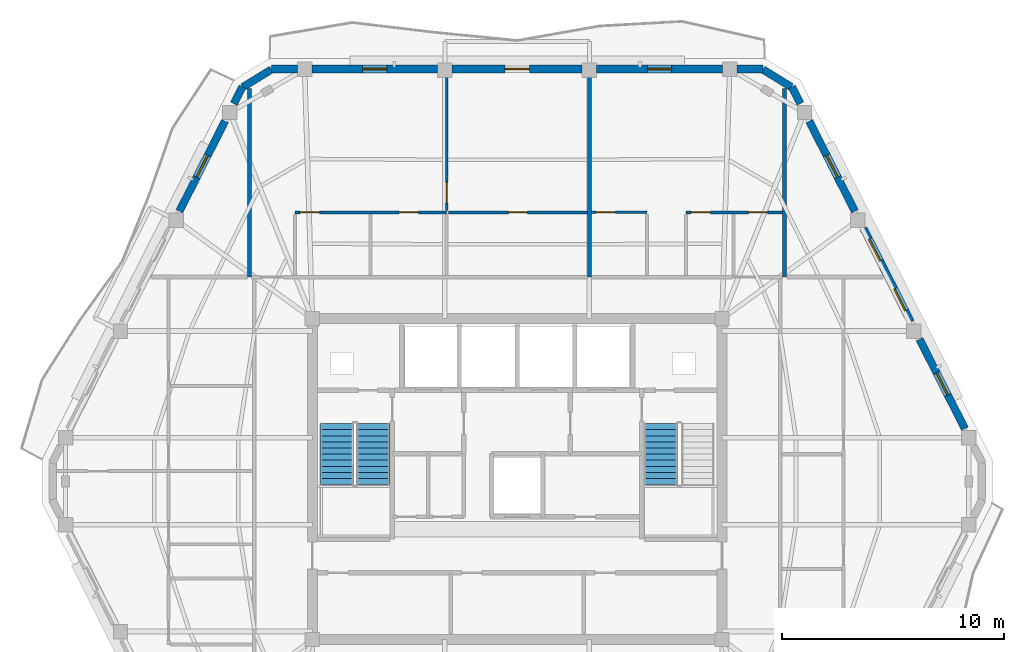
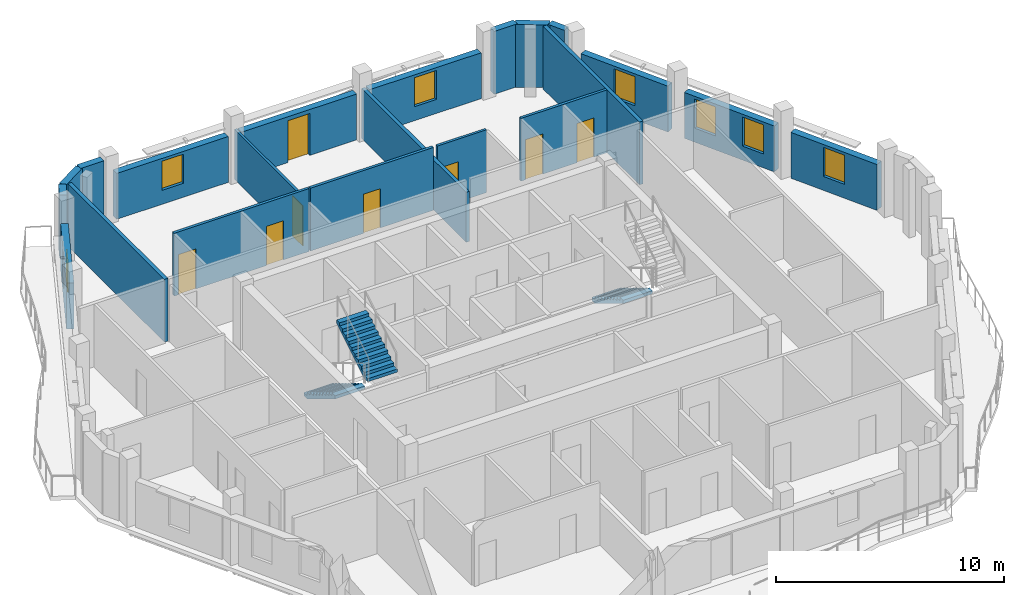
# One storey, part 7 of 11: 21 walls, 8 doors, 7 windows, 3 stair flights, 15 openings, 2 elements without a shape of their own.
"""IFC4 building model written with IfcOpenShell, lengths in metres."""

from ifc_helpers import new_model, si_unit, direction, frame, frame_2d, origin, place, context, subcontext, project, spatial, polyline, rectangle, outline, extrude, material, layer, layer_set, type_object, element, fill, aggregate, save


model = new_model("IFC4")

# Units and contexts
model_context = context("Model", 3, precision=1e-05, world=origin(), true_north=direction((0.0, 1.0)))
body_context = subcontext(model_context, "Body", "Model", "MODEL_VIEW")
ifc_project = project(units=[si_unit("LENGTHUNIT", "METRE"), si_unit("AREAUNIT", "SQUARE_METRE"), si_unit("VOLUMEUNIT", "CUBIC_METRE"), si_unit("PLANEANGLEUNIT", "RADIAN"), si_unit("MASSUNIT", "GRAM", prefix="KILO")], contexts=[model_context])

# Site, building, storey
site_placement = place(None, origin())
site = spatial("IfcSite", under=ifc_project, at=site_placement, CompositionType="ELEMENT")
building_placement = place(site_placement, origin())
building = spatial("IfcBuilding", under=site, at=building_placement, Name="Cinnabar Lancet Tower", CompositionType="ELEMENT")
storey_placement = place(building_placement, frame((0.0, 0.0, 274.449951171875)))
storey = spatial("IfcBuildingStorey", under=building, at=storey_placement, Name="L73", CompositionType="ELEMENT", Elevation=274.449951171875)

# Walls
ifc_material_1 = material(Name="Fire-rated twin-frame acoustic drywall", Category="gypsum")
ifc_layer_1 = layer(ifc_material_1, 0.179931640625)
ifc_layer_set_1 = layer_set([ifc_layer_1], Name="Fire-rated twin-frame acoustic drywall")
wall_type_1 = type_object("IfcWallType", Name="ARC-WL-PARTY-180", PredefinedType="PARTITIONING", material=ifc_layer_set_1)
wall_1_placement = place(storey_placement, frame((20.35009765625, 35.0, 0.0), z_axis=(0.0, 0.0, 1.0), x_axis=(0.0, 1.0, 0.0)))
element("IfcWall", 1, at=wall_1_placement, inside=storey, type_object=wall_type_1, Name="PW-L73-NPTY-204", PredefinedType="PARTITIONING", context=body_context, shape_type="SweptSolid", body=[
    extrude(rectangle(XDim=8.48095703125, YDim=0.179931640625, at=frame_2d((4.240478515625, 0.0))), origin(), (0.0, 0.0, 1.0), 3.3701171875),
])
wall_2_placement = place(storey_placement, frame((35.654052734375, 35.0, 0.0), z_axis=(0.0, 0.0, 1.0), x_axis=(0.0, 1.0, 0.0)))
element("IfcWall", 2, at=wall_2_placement, inside=storey, type_object=wall_type_1, Name="PW-L73-NPTY-357", PredefinedType="PARTITIONING", context=body_context, shape_type="SweptSolid", body=[
    extrude(rectangle(XDim=9.195068359375, YDim=0.179931640625, at=frame_2d((4.59765625, 0.0))), origin(), (0.0, 0.0, 1.0), 2.677001953125),
])
wall_3_placement = place(storey_placement, frame((44.449951171875, 35.0, 0.0), z_axis=(0.0, 0.0, 1.0), x_axis=(0.0, 1.0, 0.0)))
element("IfcWall", 3, at=wall_3_placement, inside=storey, type_object=wall_type_1, Name="PW-L73-NPTY-444", PredefinedType="PARTITIONING", context=body_context, shape_type="SweptSolid", body=[
    extrude(rectangle(XDim=8.48095703125, YDim=0.179931640625, at=frame_2d((4.240478515625, 0.0))), origin(), (0.0, 0.0, 1.0), 3.3701171875),
])

# Wall, opening, door
ifc_material_2 = material(Name="Gypsum plasterboard stud partition", Category="gypsum")
ifc_layer_2 = layer(ifc_material_2, 0.125)
ifc_layer_set_2 = layer_set([ifc_layer_2], Name="Gypsum plasterboard stud partition")
wall_type_2 = type_object("IfcWallType", Name="ARC-WL-UNIT-125", PredefinedType="PARTITIONING", material=ifc_layer_set_2)
wall_4_placement = place(storey_placement, frame((29.22607421875, 37.989990234375, 0.0), z_axis=(0.0, 0.0, 1.0), x_axis=(0.0, 1.0, 0.0)))
wall_4 = element("IfcWall", 4, at=wall_4_placement, inside=storey, type_object=wall_type_2, Name="UW-L73-N01-MBW", PredefinedType="PARTITIONING", context=body_context, shape_type="SweptSolid", body=[
    extrude(rectangle(XDim=6.294921875, YDim=0.125, at=frame_2d((3.1474609375, 0.0))), origin(), (0.0, 0.0, 1.0), 2.677001953125),
])
opening_1_placement = place(wall_4_placement, frame((0.35009765625, 0.0, 0.0)))
opening_1 = element("IfcOpeningElement", 5, at=opening_1_placement, cuts=wall_4, Name="Opening RD-01", PredefinedType="OPENING", context=body_context, shape_type="SweptSolid", body=[
    extrude(rectangle(XDim=0.919921875, YDim=2.14990234375, at=frame_2d((0.4599609375, 1.074951171875))), frame((0.0, 0.072509765625, 0.0), z_axis=(0.0, -1.0, 0.0), x_axis=(1.0, 0.0, 0.0)), (0.0, 0.0, 1.0), 0.14501953125),
])
ifc_material_3 = material(Name="Engineered timber bedroom door", Category="wood")
door_type_1 = type_object("IfcDoorType", Name="ARC-DR-ROOM", OperationType="NOTDEFINED", PredefinedType="DOOR", material=ifc_material_3)
door_1_placement = place(opening_1_placement, origin())
door_1 = element("IfcDoor", 6, at=door_1_placement, inside=storey, type_object=door_type_1, Name="DR-L73-N01-MBD", OperationType="SINGLE_SWING_RIGHT", OverallHeight=2.14990234375, OverallWidth=0.919921875, PredefinedType="DOOR", context=body_context, shape_type="SweptSolid", body=[
    extrude(rectangle(XDim=0.919921875, YDim=2.14990234375, at=frame_2d((0.4599609375, 1.074951171875))), frame((0.0, 0.02490234375, 0.0), z_axis=(0.0, -1.0, 0.0), x_axis=(1.0, 0.0, 0.0)), (0.0, 0.0, 1.0), 0.050048828125),
])
fill(opening_1, door_1)

wall_5_placement = place(storey_placement, frame((35.7490234375, 37.9150390625, 0.0), z_axis=(0.0, 0.0, 1.0), x_axis=(1.0, 0.0, 0.0)))
wall_5 = element("IfcWall", 7, at=wall_5_placement, inside=storey, type_object=wall_type_2, Name="UW-L73-N02-SP0", PredefinedType="PARTITIONING", context=body_context, shape_type="SweptSolid", body=[
    extrude(rectangle(XDim=2.5009765625, YDim=0.125, at=frame_2d((1.25048828125, 0.0))), origin(), (0.0, 0.0, 1.0), 3.3701171875),
])
opening_2_placement = place(wall_5_placement, frame((0.199951171875, 0.0, 0.0)))
opening_2 = element("IfcOpeningElement", 8, at=opening_2_placement, cuts=wall_5, Name="Opening RD-02", PredefinedType="OPENING", context=body_context, shape_type="SweptSolid", body=[
    extrude(rectangle(XDim=0.8798828125, YDim=2.14990234375, at=frame_2d((0.43994140625, 1.074951171875))), frame((0.0, 0.072509765625, 0.0), z_axis=(0.0, -1.0, 0.0), x_axis=(1.0, 0.0, 0.0)), (0.0, 0.0, 1.0), 0.14501953125),
])
ifc_material_4 = material(Name="Engineered timber study door", Category="wood")
door_type_2 = type_object("IfcDoorType", Name="ARC-DR-STUDY", OperationType="NOTDEFINED", PredefinedType="DOOR", material=ifc_material_4)
door_2_placement = place(opening_2_placement, origin())
door_2 = element("IfcDoor", 9, at=door_2_placement, inside=storey, type_object=door_type_2, Name="DR-L73-N02-EX0", OperationType="SINGLE_SWING_RIGHT", OverallHeight=2.14990234375, OverallWidth=0.8798828125, PredefinedType="DOOR", context=body_context, shape_type="SweptSolid", body=[
    extrude(rectangle(XDim=0.8798828125, YDim=2.14990234375, at=frame_2d((0.43994140625, 1.074951171875))), frame((0.0, 0.02490234375, 0.0), z_axis=(0.0, -1.0, 0.0), x_axis=(1.0, 0.0, 0.0)), (0.0, 0.0, 1.0), 0.050048828125),
])
fill(opening_2, door_2)

# Wall, openings, doors
ifc_material_5 = material(Name="Moisture-resistant cement-board plumbing wall", Category="masonry")
ifc_layer_3 = layer(ifc_material_5, 0.139892578125)
ifc_layer_set_3 = layer_set([ifc_layer_3], Name="Moisture-resistant cement-board plumbing wall")
wall_type_3 = type_object("IfcWallType", Name="ARC-WL-WET-140", PredefinedType="PLUMBINGWALL", material=ifc_layer_set_3)
wall_6_placement = place(storey_placement, frame((22.39990234375, 37.9150390625, 0.0), z_axis=(0.0, 0.0, 1.0), x_axis=(1.0, 0.0, 0.0)))
wall_6 = element("IfcWall", 10, at=wall_6_placement, inside=storey, type_object=wall_type_3, Name="UW-L73-N01-SPL", PredefinedType="PLUMBINGWALL", context=body_context, shape_type="SweptSolid", body=[
    extrude(rectangle(XDim=6.826171875, YDim=0.139892578125, at=frame_2d((3.4130859375, 0.0))), origin(), (0.0, 0.0, 1.0), 3.3701171875),
])
opening_3_placement = place(wall_6_placement, frame((4.68798828125, 0.0, 0.0)))
opening_3 = element("IfcOpeningElement", 11, at=opening_3_placement, cuts=wall_6, Name="Opening BD-01", PredefinedType="OPENING", context=body_context, shape_type="SweptSolid", body=[
    extrude(rectangle(XDim=0.860107421875, YDim=2.10009765625, at=frame_2d((0.43017578125, 1.050048828125))), frame((0.0, 0.079833984375, 0.0), z_axis=(0.0, -1.0, 0.0), x_axis=(1.0, 0.0, 0.0)), (0.0, 0.0, 1.0), 0.159912109375),
])
opening_4_placement = place(wall_6_placement, frame((0.219970703125, 0.0, 0.0)))
opening_4 = element("IfcOpeningElement", 12, at=opening_4_placement, cuts=wall_6, Name="Opening RD-02", PredefinedType="OPENING", context=body_context, shape_type="SweptSolid", body=[
    extrude(rectangle(XDim=0.8798828125, YDim=2.14990234375, at=frame_2d((0.43994140625, 1.074951171875))), frame((0.0, 0.079833984375, 0.0), z_axis=(0.0, -1.0, 0.0), x_axis=(1.0, 0.0, 0.0)), (0.0, 0.0, 1.0), 0.159912109375),
])
ifc_material_6 = material(Name="Moisture-resistant timber bathroom door", Category="wood")
door_type_3 = type_object("IfcDoorType", Name="ARC-DR-BATH", OperationType="NOTDEFINED", PredefinedType="DOOR", material=ifc_material_6)
door_3_placement = place(opening_3_placement, origin())
door_3 = element("IfcDoor", 13, at=door_3_placement, inside=storey, type_object=door_type_3, Name="DR-L73-N01-BTH", OperationType="SINGLE_SWING_LEFT", OverallHeight=2.10009765625, OverallWidth=0.860107421875, PredefinedType="DOOR", context=body_context, shape_type="SweptSolid", body=[
    extrude(rectangle(XDim=0.860107421875, YDim=2.10009765625, at=frame_2d((0.43017578125, 1.050048828125))), frame((0.0, 0.02490234375, 0.0), z_axis=(0.0, -1.0, 0.0), x_axis=(1.0, 0.0, 0.0)), (0.0, 0.0, 1.0), 0.050048828125),
])
fill(opening_3, door_3)
door_4_placement = place(opening_4_placement, origin())
door_4 = element("IfcDoor", 14, at=door_4_placement, inside=storey, type_object=door_type_2, Name="DR-L73-N01-KIT", OperationType="SINGLE_SWING_RIGHT", OverallHeight=2.14990234375, OverallWidth=0.8798828125, PredefinedType="DOOR", context=body_context, shape_type="SweptSolid", body=[
    extrude(rectangle(XDim=0.8798828125, YDim=2.14990234375, at=frame_2d((0.43994140625, 1.074951171875))), frame((0.0, 0.02490234375, 0.0), z_axis=(0.0, -1.0, 0.0), x_axis=(1.0, 0.0, 0.0)), (0.0, 0.0, 1.0), 0.050048828125),
])
fill(opening_4, door_4)

# Wall, opening, door
wall_7_placement = place(storey_placement, frame((29.301025390625, 37.9150390625, 0.0), z_axis=(0.0, 0.0, 1.0), x_axis=(1.0, 0.0, 0.0)))
wall_7 = element("IfcWall", 15, at=wall_7_placement, inside=storey, type_object=wall_type_3, Name="UW-L73-N01-SPM", PredefinedType="PLUMBINGWALL", context=body_context, shape_type="SweptSolid", body=[
    extrude(rectangle(XDim=6.258056640625, YDim=0.139892578125, at=frame_2d((3.12890625, 0.0))), origin(), (0.0, 0.0, 1.0), 3.3701171875),
])
opening_5_placement = place(wall_7_placement, frame((2.7041015625, 0.0, 0.0)))
opening_5 = element("IfcOpeningElement", 16, at=opening_5_placement, cuts=wall_7, Name="Opening BD-01", PredefinedType="OPENING", context=body_context, shape_type="SweptSolid", body=[
    extrude(rectangle(XDim=0.860107421875, YDim=2.10009765625, at=frame_2d((0.43017578125, 1.050048828125))), frame((0.0, 0.079833984375, 0.0), z_axis=(0.0, -1.0, 0.0), x_axis=(1.0, 0.0, 0.0)), (0.0, 0.0, 1.0), 0.159912109375),
])
door_5_placement = place(opening_5_placement, origin())
door_5 = element("IfcDoor", 17, at=door_5_placement, inside=storey, type_object=door_type_3, Name="DR-L73-N01-ENS", OperationType="SINGLE_SWING_LEFT", OverallHeight=2.10009765625, OverallWidth=0.860107421875, PredefinedType="DOOR", context=body_context, shape_type="SweptSolid", body=[
    extrude(rectangle(XDim=0.860107421875, YDim=2.10009765625, at=frame_2d((0.43017578125, 1.050048828125))), frame((0.0, 0.02490234375, 0.0), z_axis=(0.0, -1.0, 0.0), x_axis=(1.0, 0.0, 0.0)), (0.0, 0.0, 1.0), 0.050048828125),
])
fill(opening_5, door_5)

# Wall, openings, doors
wall_8_placement = place(storey_placement, frame((40.0, 37.9150390625, 0.0), z_axis=(0.0, 0.0, 1.0), x_axis=(1.0, 0.0, 0.0)))
wall_8 = element("IfcWall", 18, at=wall_8_placement, inside=storey, type_object=wall_type_3, Name="UW-L73-N02-SPL", PredefinedType="PLUMBINGWALL", context=body_context, shape_type="SweptSolid", body=[
    extrude(rectangle(XDim=4.35498046875, YDim=0.139892578125, at=frame_2d((2.177490234375, 0.0))), origin(), (0.0, 0.0, 1.0), 3.3701171875),
])
opening_6_placement = place(wall_8_placement, frame((2.821044921875, 0.0, 0.0)))
opening_6 = element("IfcOpeningElement", 19, at=opening_6_placement, cuts=wall_8, Name="Opening BD-01", PredefinedType="OPENING", context=body_context, shape_type="SweptSolid", body=[
    extrude(rectangle(XDim=0.860107421875, YDim=2.10009765625, at=frame_2d((0.43017578125, 1.050048828125))), frame((0.0, 0.079833984375, 0.0), z_axis=(0.0, -1.0, 0.0), x_axis=(1.0, 0.0, 0.0)), (0.0, 0.0, 1.0), 0.159912109375),
])
opening_7_placement = place(wall_8_placement, frame((0.219970703125, 0.0, 0.0)))
opening_7 = element("IfcOpeningElement", 20, at=opening_7_placement, cuts=wall_8, Name="Opening RD-02", PredefinedType="OPENING", context=body_context, shape_type="SweptSolid", body=[
    extrude(rectangle(XDim=0.8798828125, YDim=2.14990234375, at=frame_2d((0.43994140625, 1.074951171875))), frame((0.0, 0.079833984375, 0.0), z_axis=(0.0, -1.0, 0.0), x_axis=(1.0, 0.0, 0.0)), (0.0, 0.0, 1.0), 0.159912109375),
])
door_6_placement = place(opening_6_placement, origin())
door_6 = element("IfcDoor", 21, at=door_6_placement, inside=storey, type_object=door_type_3, Name="DR-L73-N02-BTH", OperationType="SINGLE_SWING_RIGHT", OverallHeight=2.10009765625, OverallWidth=0.860107421875, PredefinedType="DOOR", context=body_context, shape_type="SweptSolid", body=[
    extrude(rectangle(XDim=0.860107421875, YDim=2.10009765625, at=frame_2d((0.43017578125, 1.050048828125))), frame((0.0, 0.02490234375, 0.0), z_axis=(0.0, -1.0, 0.0), x_axis=(1.0, 0.0, 0.0)), (0.0, 0.0, 1.0), 0.050048828125),
])
fill(opening_6, door_6)
door_7_placement = place(opening_7_placement, origin())
door_7 = element("IfcDoor", 22, at=door_7_placement, inside=storey, type_object=door_type_2, Name="DR-L73-N02-KIT", OperationType="SINGLE_SWING_LEFT", OverallHeight=2.14990234375, OverallWidth=0.8798828125, PredefinedType="DOOR", context=body_context, shape_type="SweptSolid", body=[
    extrude(rectangle(XDim=0.8798828125, YDim=2.14990234375, at=frame_2d((0.43994140625, 1.074951171875))), frame((0.0, 0.02490234375, 0.0), z_axis=(0.0, -1.0, 0.0), x_axis=(1.0, 0.0, 0.0)), (0.0, 0.0, 1.0), 0.050048828125),
])
fill(opening_7, door_7)

# Walls
ifc_material_7 = material(Name="Cinnabar red clay brick", Category="masonry")
ifc_layer_4 = layer(ifc_material_7, 0.340087890625)
ifc_layer_set_4 = layer_set([ifc_layer_4], Name="Cinnabar red clay brick")
wall_type_4 = type_object("IfcWallType", Name="ENV-WL-BRK-RED-340", PredefinedType="STANDARD", material=ifc_layer_set_4)
for number, where, z_axis, x_axis, name in (
    (23, (44.7529296875, 43.554931640625, 0.0), (0.0, 0.0, 1.0), (-0.851680557619, 0.52406128246, 0.0), "L73 Chamfered Corner Brick Pier 4.1"),
    (24, (21.3310546875, 44.344970703125, 0.0), (0.0, 0.0, 1.0), (-0.851680557619, -0.52406128246, 0.0), "L73 Chamfered Corner Brick Pier 5.1"),
):
    element("IfcWall", number, at=place(storey_placement, frame(where, z_axis=z_axis, x_axis=x_axis)), inside=storey, type_object=wall_type_4, Name=name, PredefinedType="STANDARD", context=body_context, shape_type="SweptSolid", body=[
        extrude(rectangle(XDim=1.507568359375, YDim=0.340087890625, at=frame_2d((0.75390625, 0.0))), origin(), (0.0, 0.0, 1.0), 3.3701171875),
    ])

# Wall, opening, window
wall_9_placement = place(storey_placement, frame((52.568115234375, 28.160888671875, 0.0), z_axis=(0.0, 0.0, 1.0), x_axis=(-0.45147697324, 0.892282770558, 0.0)))
wall_9 = element("IfcWall", 25, at=wall_9_placement, inside=storey, type_object=wall_type_4, Name="L73 Face 3 Masonry Bay Wall 2", PredefinedType="STANDARD", context=body_context, shape_type="SweptSolid", body=[
    extrude(rectangle(XDim=4.530029296875, YDim=0.340087890625, at=frame_2d((2.26513671875, 0.0))), origin(), (0.0, 0.0, 1.0), 2.4599609375),
])
opening_8_placement = place(wall_9_placement, frame((1.715087890625, 0.0, 0.75)))
opening_8 = element("IfcOpeningElement", 26, at=opening_8_placement, cuts=wall_9, Name="Opening WN-04", PredefinedType="OPENING", context=body_context, shape_type="SweptSolid", body=[
    extrude(rectangle(XDim=1.10009765625, YDim=1.56005859375, at=frame_2d((0.550048828125, 0.780029296875))), frame((0.0, 0.179931640625, 0.0), z_axis=(0.0, -1.0, 0.0), x_axis=(1.0, 0.0, 0.0)), (0.0, 0.0, 1.0), 0.360107421875),
])
ifc_material_8 = material(Name="Thermally broken bronze-anodized aluminium tall lancet window", Category="aluminium")
window_type = type_object("IfcWindowType", Name="ENV-WN-LANCET-1100", PartitioningType="SINGLE_PANEL", PredefinedType="WINDOW", material=ifc_material_8)
window_1_placement = place(opening_8_placement, origin())
window_1 = element("IfcWindow", 27, at=window_1_placement, inside=storey, type_object=window_type, Name="L73 Face 3 Gothic Lancet Window 2", OverallHeight=1.56005859375, OverallWidth=1.10009765625, PartitioningType="SINGLE_PANEL", PredefinedType="WINDOW", context=body_context, shape_type="SweptSolid", body=[
    extrude(rectangle(XDim=1.10009765625, YDim=1.56005859375, at=frame_2d((0.550048828125, 0.780029296875))), frame((0.0, 0.030029296875, 0.0), z_axis=(0.0, -1.0, 0.0), x_axis=(1.0, 0.0, 0.0)), (0.0, 0.0, 1.0), 0.06005859375),
])
fill(opening_8, window_1)

# Wall, openings, windows
wall_10_placement = place(storey_placement, frame((50.134033203125, 32.972900390625, 0.0), z_axis=(0.0, 0.0, 1.0), x_axis=(-0.451447516904, 0.892297674255, 0.0)))
wall_10 = element("IfcWall", 28, at=wall_10_placement, inside=storey, type_object=wall_type_4, Name="L73 Face 3 Masonry Bay Wall 3", PredefinedType="STANDARD", context=body_context, shape_type="SweptSolid", body=[
    extrude(rectangle(XDim=4.72265625, YDim=0.340087890625, at=frame_2d((2.361328125, 0.0))), origin(), (0.0, 0.0, 1.0), 2.4599609375),
])
opening_9_placement = place(wall_10_placement, frame((0.56494140625, 0.0, 0.75)))
opening_9 = element("IfcOpeningElement", 29, at=opening_9_placement, cuts=wall_10, Name="Opening WN-04", PredefinedType="OPENING", context=body_context, shape_type="SweptSolid", body=[
    extrude(rectangle(XDim=1.10009765625, YDim=1.56005859375, at=frame_2d((0.550048828125, 0.780029296875))), frame((0.0, 0.179931640625, 0.0), z_axis=(0.0, -1.0, 0.0), x_axis=(1.0, 0.0, 0.0)), (0.0, 0.0, 1.0), 0.360107421875),
])
opening_10_placement = place(wall_10_placement, frame((3.076904296875, 0.0, 0.75)))
opening_10 = element("IfcOpeningElement", 30, at=opening_10_placement, cuts=wall_10, Name="Opening WN-04", PredefinedType="OPENING", context=body_context, shape_type="SweptSolid", body=[
    extrude(rectangle(XDim=1.10009765625, YDim=1.56005859375, at=frame_2d((0.550048828125, 0.780029296875))), frame((0.0, 0.179931640625, 0.0), z_axis=(0.0, -1.0, 0.0), x_axis=(1.0, 0.0, 0.0)), (0.0, 0.0, 1.0), 0.360107421875),
])
window_2_placement = place(opening_9_placement, origin())
window_2 = element("IfcWindow", 31, at=window_2_placement, inside=storey, type_object=window_type, Name="L73 Face 3 Gothic Lancet Window 3", OverallHeight=1.56005859375, OverallWidth=1.10009765625, PartitioningType="SINGLE_PANEL", PredefinedType="WINDOW", context=body_context, shape_type="SweptSolid", body=[
    extrude(rectangle(XDim=1.10009765625, YDim=1.56005859375, at=frame_2d((0.550048828125, 0.780029296875))), frame((0.0, 0.030029296875, 0.0), z_axis=(0.0, -1.0, 0.0), x_axis=(1.0, 0.0, 0.0)), (0.0, 0.0, 1.0), 0.06005859375),
])
fill(opening_9, window_2)
window_3_placement = place(opening_10_placement, origin())
window_3 = element("IfcWindow", 32, at=window_3_placement, inside=storey, type_object=window_type, Name="L73 Split-Bay Gothic Lancet Window 273", OverallHeight=1.56005859375, OverallWidth=1.10009765625, PartitioningType="SINGLE_PANEL", PredefinedType="WINDOW", context=body_context, shape_type="SweptSolid", body=[
    extrude(rectangle(XDim=1.10009765625, YDim=1.56005859375, at=frame_2d((0.550048828125, 0.780029296875))), frame((0.0, 0.030029296875, 0.0), z_axis=(0.0, -1.0, 0.0), x_axis=(1.0, 0.0, 0.0)), (0.0, 0.0, 1.0), 0.06005859375),
])
fill(opening_10, window_3)

# Wall, opening, window
wall_11_placement = place(storey_placement, frame((47.612060546875, 37.9599609375, 0.0), z_axis=(0.0, 0.0, 1.0), x_axis=(-0.45154039276, 0.892250678737, 0.0)))
wall_11 = element("IfcWall", 33, at=wall_11_placement, inside=storey, type_object=wall_type_4, Name="L73 Face 3 Masonry Bay Wall 4", PredefinedType="STANDARD", context=body_context, shape_type="SweptSolid", body=[
    extrude(rectangle(XDim=4.5537109375, YDim=0.340087890625, at=frame_2d((2.27685546875, 0.0))), origin(), (0.0, 0.0, 1.0), 2.4599609375),
])
opening_11_placement = place(wall_11_placement, frame((1.72705078125, 0.0, 0.75)))
opening_11 = element("IfcOpeningElement", 34, at=opening_11_placement, cuts=wall_11, Name="Opening WN-04", PredefinedType="OPENING", context=body_context, shape_type="SweptSolid", body=[
    extrude(rectangle(XDim=1.10009765625, YDim=1.56005859375, at=frame_2d((0.550048828125, 0.780029296875))), frame((0.0, 0.179931640625, 0.0), z_axis=(0.0, -1.0, 0.0), x_axis=(1.0, 0.0, 0.0)), (0.0, 0.0, 1.0), 0.360107421875),
])
window_4_placement = place(opening_11_placement, origin())
window_4 = element("IfcWindow", 35, at=window_4_placement, inside=storey, type_object=window_type, Name="L73 Face 3 Gothic Lancet Window 4", OverallHeight=1.56005859375, OverallWidth=1.10009765625, PartitioningType="SINGLE_PANEL", PredefinedType="WINDOW", context=body_context, shape_type="SweptSolid", body=[
    extrude(rectangle(XDim=1.10009765625, YDim=1.56005859375, at=frame_2d((0.550048828125, 0.780029296875))), frame((0.0, 0.030029296875, 0.0), z_axis=(0.0, -1.0, 0.0), x_axis=(1.0, 0.0, 0.0)), (0.0, 0.0, 1.0), 0.06005859375),
])
fill(opening_11, window_4)

# Walls
wall_12_placement = place(storey_placement, frame((45.157958984375, 42.81103515625, 0.0), z_axis=(0.0, 0.0, 1.0), x_axis=(-0.451907025977, 0.8920650424, 0.0)))
element("IfcWall", 36, at=wall_12_placement, inside=storey, type_object=wall_type_4, Name="L73 Face 3 Masonry Bay Wall 5", PredefinedType="STANDARD", context=body_context, shape_type="SweptSolid", body=[
    extrude(rectangle(XDim=0.85205078125, YDim=0.340087890625, at=frame_2d((0.426025390625, 0.0))), origin(), (0.0, 0.0, 1.0), 3.3701171875),
])
wall_13_placement = place(storey_placement, frame((43.47412109375, 44.3701171875, 0.0), z_axis=(0.0, 0.0, 1.0), x_axis=(-1.0, 0.0, 0.0)))
element("IfcWall", 37, at=wall_13_placement, inside=storey, type_object=wall_type_4, Name="L73 Face 4 Masonry Bay Wall 1", PredefinedType="STANDARD", context=body_context, shape_type="SweptSolid", body=[
    extrude(rectangle(XDim=1.173095703125, YDim=0.340087890625, at=frame_2d((0.58642578125, 0.0))), origin(), (0.0, 0.0, 1.0), 3.3701171875),
])

# Wall, opening, window
wall_14_placement = place(storey_placement, frame((41.64306640625, 44.3701171875, 0.0), z_axis=(0.0, 0.0, 1.0), x_axis=(-1.0, 0.0, 0.0)))
wall_14 = element("IfcWall", 38, at=wall_14_placement, inside=storey, type_object=wall_type_4, Name="L73 Face 4 Masonry Bay Wall 2", PredefinedType="STANDARD", context=body_context, shape_type="SweptSolid", body=[
    extrude(rectangle(XDim=5.66015625, YDim=0.340087890625, at=frame_2d((2.830078125, 0.0))), origin(), (0.0, 0.0, 1.0), 2.4599609375),
])
opening_12_placement = place(wall_14_placement, frame((2.280029296875, 0.0, 0.75)))
opening_12 = element("IfcOpeningElement", 39, at=opening_12_placement, cuts=wall_14, Name="Opening WN-04", PredefinedType="OPENING", context=body_context, shape_type="SweptSolid", body=[
    extrude(rectangle(XDim=1.10009765625, YDim=1.56005859375, at=frame_2d((0.550048828125, 0.780029296875))), frame((0.0, 0.179931640625, 0.0), z_axis=(0.0, -1.0, 0.0), x_axis=(1.0, 0.0, 0.0)), (0.0, 0.0, 1.0), 0.360107421875),
])
window_5_placement = place(opening_12_placement, origin())
window_5 = element("IfcWindow", 40, at=window_5_placement, inside=storey, type_object=window_type, Name="L73 Face 4 Gothic Lancet Window 2", OverallHeight=1.56005859375, OverallWidth=1.10009765625, PartitioningType="SINGLE_PANEL", PredefinedType="WINDOW", context=body_context, shape_type="SweptSolid", body=[
    extrude(rectangle(XDim=1.10009765625, YDim=1.56005859375, at=frame_2d((0.550048828125, 0.780029296875))), frame((0.0, 0.030029296875, 0.0), z_axis=(0.0, -1.0, 0.0), x_axis=(1.0, 0.0, 0.0)), (0.0, 0.0, 1.0), 0.06005859375),
])
fill(opening_12, window_5)

# Wall, opening, door
wall_15_placement = place(storey_placement, frame((35.324951171875, 44.3701171875, 0.0), z_axis=(0.0, 0.0, 1.0), x_axis=(-1.0, 0.0, 0.0)))
wall_15 = element("IfcWall", 41, at=wall_15_placement, inside=storey, type_object=wall_type_4, Name="L73 Face 4 Masonry Bay Wall 3", PredefinedType="STANDARD", context=body_context, shape_type="SweptSolid", body=[
    extrude(rectangle(XDim=5.849853515625, YDim=0.340087890625, at=frame_2d((2.9248046875, 0.0))), origin(), (0.0, 0.0, 1.0), 2.4599609375),
])
opening_13_placement = place(wall_15_placement, frame((2.375, 0.0, 0.0)))
opening_13 = element("IfcOpeningElement", 42, at=opening_13_placement, cuts=wall_15, Name="Opening TD-01", PredefinedType="OPENING", context=body_context, shape_type="SweptSolid", body=[
    extrude(rectangle(XDim=1.10009765625, YDim=2.25, at=frame_2d((0.550048828125, 1.125))), frame((0.0, 0.179931640625, 0.0), z_axis=(0.0, -1.0, 0.0), x_axis=(1.0, 0.0, 0.0)), (0.0, 0.0, 1.0), 0.360107421875),
])
ifc_material_9 = material(Name="Thermally broken low-E glazed balcony terrace door", Category="wood")
door_type_4 = type_object("IfcDoorType", Name="ARC-DR-BALC", OperationType="NOTDEFINED", PredefinedType="DOOR", material=ifc_material_9)
door_8_placement = place(opening_13_placement, origin())
door_8 = element("IfcDoor", 43, at=door_8_placement, inside=storey, type_object=door_type_4, Name="L73 Face 4 Glazed Terrace Door", OperationType="SINGLE_SWING_RIGHT", OverallHeight=2.25, OverallWidth=1.10009765625, PredefinedType="DOOR", context=body_context, shape_type="SweptSolid", body=[
    extrude(rectangle(XDim=1.10009765625, YDim=2.25, at=frame_2d((0.550048828125, 1.125))), frame((0.0, 0.02490234375, 0.0), z_axis=(0.0, -1.0, 0.0), x_axis=(1.0, 0.0, 0.0)), (0.0, 0.0, 1.0), 0.050048828125),
])
fill(opening_13, door_8)

# Wall, opening, window
wall_16_placement = place(storey_placement, frame((28.81689453125, 44.3701171875, 0.0), z_axis=(0.0, 0.0, 1.0), x_axis=(-1.0, 0.0, 0.0)))
wall_16 = element("IfcWall", 44, at=wall_16_placement, inside=storey, type_object=wall_type_4, Name="L73 Face 4 Masonry Bay Wall 4", PredefinedType="STANDARD", context=body_context, shape_type="SweptSolid", body=[
    extrude(rectangle(XDim=5.659912109375, YDim=0.340087890625, at=frame_2d((2.830078125, 0.0))), origin(), (0.0, 0.0, 1.0), 2.4599609375),
])
opening_14_placement = place(wall_16_placement, frame((2.280029296875, 0.0, 0.75)))
opening_14 = element("IfcOpeningElement", 45, at=opening_14_placement, cuts=wall_16, Name="Opening WN-04", PredefinedType="OPENING", context=body_context, shape_type="SweptSolid", body=[
    extrude(rectangle(XDim=1.10009765625, YDim=1.56005859375, at=frame_2d((0.550048828125, 0.780029296875))), frame((0.0, 0.179931640625, 0.0), z_axis=(0.0, -1.0, 0.0), x_axis=(1.0, 0.0, 0.0)), (0.0, 0.0, 1.0), 0.360107421875),
])
window_6_placement = place(opening_14_placement, origin())
window_6 = element("IfcWindow", 46, at=window_6_placement, inside=storey, type_object=window_type, Name="L73 Face 4 Gothic Lancet Window 4", OverallHeight=1.56005859375, OverallWidth=1.10009765625, PartitioningType="SINGLE_PANEL", PredefinedType="WINDOW", context=body_context, shape_type="SweptSolid", body=[
    extrude(rectangle(XDim=1.10009765625, YDim=1.56005859375, at=frame_2d((0.550048828125, 0.780029296875))), frame((0.0, 0.030029296875, 0.0), z_axis=(0.0, -1.0, 0.0), x_axis=(1.0, 0.0, 0.0)), (0.0, 0.0, 1.0), 0.06005859375),
])
fill(opening_14, window_6)

# Walls
wall_17_placement = place(storey_placement, frame((22.4990234375, 44.3701171875, 0.0), z_axis=(0.0, 0.0, 1.0), x_axis=(-1.0, 0.0, 0.0)))
element("IfcWall", 47, at=wall_17_placement, inside=storey, type_object=wall_type_4, Name="L73 Face 4 Masonry Bay Wall 5", PredefinedType="STANDARD", context=body_context, shape_type="SweptSolid", body=[
    extrude(rectangle(XDim=1.173095703125, YDim=0.340087890625, at=frame_2d((0.58642578125, 0.0))), origin(), (0.0, 0.0, 1.0), 3.3701171875),
])
wall_18_placement = place(storey_placement, frame((20.027099609375, 43.571044921875, 0.0), z_axis=(0.0, 0.0, 1.0), x_axis=(-0.451907025977, -0.8920650424, 0.0)))
element("IfcWall", 48, at=wall_18_placement, inside=storey, type_object=wall_type_4, Name="L73 Face 5 Masonry Bay Wall 1", PredefinedType="STANDARD", context=body_context, shape_type="SweptSolid", body=[
    extrude(rectangle(XDim=0.85205078125, YDim=0.340087890625, at=frame_2d((0.426025390625, 0.0))), origin(), (0.0, 0.0, 1.0), 3.3701171875),
])

# Wall, opening, window
wall_19_placement = place(storey_placement, frame((19.243896484375, 42.02294921875, 0.0), z_axis=(0.0, 0.0, 1.0), x_axis=(-0.45149770819, -0.892272278791, 0.0)))
wall_19 = element("IfcWall", 49, at=wall_19_placement, inside=storey, type_object=wall_type_4, Name="L73 Face 5 Masonry Bay Wall 2", PredefinedType="STANDARD", context=body_context, shape_type="SweptSolid", body=[
    extrude(rectangle(XDim=4.553466796875, YDim=0.340087890625, at=frame_2d((2.27685546875, 0.0))), origin(), (0.0, 0.0, 1.0), 2.4599609375),
])
opening_15_placement = place(wall_19_placement, frame((1.72705078125, 0.0, 0.75)))
opening_15 = element("IfcOpeningElement", 50, at=opening_15_placement, cuts=wall_19, Name="Opening WN-04", PredefinedType="OPENING", context=body_context, shape_type="SweptSolid", body=[
    extrude(rectangle(XDim=1.10009765625, YDim=1.56005859375, at=frame_2d((0.550048828125, 0.780029296875))), frame((0.0, 0.179931640625, 0.0), z_axis=(0.0, -1.0, 0.0), x_axis=(1.0, 0.0, 0.0)), (0.0, 0.0, 1.0), 0.360107421875),
])
window_7_placement = place(opening_15_placement, origin())
window_7 = element("IfcWindow", 51, at=window_7_placement, inside=storey, type_object=window_type, Name="L73 Face 5 Gothic Lancet Window 2", OverallHeight=1.56005859375, OverallWidth=1.10009765625, PartitioningType="SINGLE_PANEL", PredefinedType="WINDOW", context=body_context, shape_type="SweptSolid", body=[
    extrude(rectangle(XDim=1.10009765625, YDim=1.56005859375, at=frame_2d((0.550048828125, 0.780029296875))), frame((0.0, 0.030029296875, 0.0), z_axis=(0.0, -1.0, 0.0), x_axis=(1.0, 0.0, 0.0)), (0.0, 0.0, 1.0), 0.06005859375),
])
fill(opening_15, window_7)

# Stair, stair flights
ifc_material_10 = material(Name="Concrete C40/50", Category="concrete")
stair_type = type_object("IfcStairType", Name="ST-CORE", PredefinedType="HALF_TURN_STAIR", material=ifc_material_10)
stair_1_placement = place(storey_placement, origin())
stair_1 = element("IfcStair", 52, at=stair_1_placement, inside=storey, type_object=stair_type, Name="L73 ST-1", PredefinedType="HALF_TURN_STAIR")
ifc_material_11 = material(Name="Concrete C40/50", Category="concrete")
stair_flight_type = type_object("IfcStairFlightType", Name="FLIGHT-CORE", PredefinedType="STRAIGHT", material=ifc_material_11)
stair_flight_1_placement = place(storey_placement, frame((24.27490234375, 28.39990234375, 0.0), z_axis=(0.0, 0.0, 1.0), x_axis=(0.0, -1.0, 0.0)))
stair_flight_1 = element("IfcStairFlight", 53, at=stair_flight_1_placement, type_object=stair_flight_type, Name="ST-1 flight 1", NumberOfRisers=11, NumberOfTreads=10, PredefinedType="STRAIGHT", RiserHeight=0.165909091, TreadLength=0.275, context=body_context, shape_type="SweptSolid", body=[
    extrude(outline(polyline([(0.0, 0.0), (0.0, 0.166015625), (0.27490234375, 0.166015625), (0.27490234375, 0.331787109375), (0.550048828125, 0.331787109375), (0.550048828125, 0.497802734375), (0.824951171875, 0.497802734375), (0.824951171875, 0.66357421875), (1.10009765625, 0.66357421875), (1.10009765625, 0.82958984375), (1.375, 0.82958984375), (1.375, 0.995361328125), (1.64990234375, 0.995361328125), (1.64990234375, 1.161376953125), (1.925048828125, 1.161376953125), (1.925048828125, 1.327392578125), (2.199951171875, 1.327392578125), (2.199951171875, 1.4931640625), (2.47509765625, 1.4931640625), (2.47509765625, 1.6591796875), (2.75, 1.6591796875), (2.75, 1.824951171875), (2.75, 1.484130859375), (0.290283203125, 0.0), (0.0, 0.0)])), frame((0.0, 0.75, 0.0), z_axis=(0.0, -1.0, 0.0), x_axis=(1.0, 0.0, 0.0)), (0.0, 0.0, 1.0), 1.5),
])
stair_flight_2_placement = place(storey_placement, frame((25.925048828125, 25.64990234375, 1.824951171875), z_axis=(0.0, 0.0, 1.0), x_axis=(0.0, 1.0, 0.0)))
stair_flight_2 = element("IfcStairFlight", 54, at=stair_flight_2_placement, type_object=stair_flight_type, Name="ST-1 flight 2", NumberOfRisers=11, NumberOfTreads=10, PredefinedType="STRAIGHT", RiserHeight=0.165909091, TreadLength=0.275, context=body_context, shape_type="SweptSolid", body=[
    extrude(outline(polyline([(0.0, 0.0), (0.0, 0.166015625), (0.27490234375, 0.166015625), (0.27490234375, 0.331787109375), (0.550048828125, 0.331787109375), (0.550048828125, 0.497802734375), (0.824951171875, 0.497802734375), (0.824951171875, 0.66357421875), (1.10009765625, 0.66357421875), (1.10009765625, 0.82958984375), (1.375, 0.82958984375), (1.375, 0.995361328125), (1.64990234375, 0.995361328125), (1.64990234375, 1.161376953125), (1.925048828125, 1.161376953125), (1.925048828125, 1.327392578125), (2.199951171875, 1.327392578125), (2.199951171875, 1.4931640625), (2.47509765625, 1.4931640625), (2.47509765625, 1.6591796875), (2.75, 1.6591796875), (2.75, 1.824951171875), (2.75, 1.484130859375), (0.290283203125, 0.0), (0.0, 0.0)])), frame((0.0, 0.75, 0.0), z_axis=(0.0, -1.0, 0.0), x_axis=(1.0, 0.0, 0.0)), (0.0, 0.0, 1.0), 1.5),
])
aggregate(stair_1, [stair_flight_1, stair_flight_2])

# Stair, stair flight
stair_2_placement = place(storey_placement, origin())
stair_2 = element("IfcStair", 55, at=stair_2_placement, inside=storey, type_object=stair_type, Name="L73 ST-2", PredefinedType="HALF_TURN_STAIR")
stair_flight_3_placement = place(storey_placement, frame((38.875, 28.39990234375, 0.0), z_axis=(0.0, 0.0, 1.0), x_axis=(0.0, -1.0, 0.0)))
stair_flight_3 = element("IfcStairFlight", 56, at=stair_flight_3_placement, type_object=stair_flight_type, Name="ST-2 flight 1", NumberOfRisers=11, NumberOfTreads=10, PredefinedType="STRAIGHT", RiserHeight=0.165909091, TreadLength=0.275, context=body_context, shape_type="SweptSolid", body=[
    extrude(outline(polyline([(0.0, 0.0), (0.0, 0.166015625), (0.27490234375, 0.166015625), (0.27490234375, 0.331787109375), (0.550048828125, 0.331787109375), (0.550048828125, 0.497802734375), (0.824951171875, 0.497802734375), (0.824951171875, 0.66357421875), (1.10009765625, 0.66357421875), (1.10009765625, 0.82958984375), (1.375, 0.82958984375), (1.375, 0.995361328125), (1.64990234375, 0.995361328125), (1.64990234375, 1.161376953125), (1.925048828125, 1.161376953125), (1.925048828125, 1.327392578125), (2.199951171875, 1.327392578125), (2.199951171875, 1.4931640625), (2.47509765625, 1.4931640625), (2.47509765625, 1.6591796875), (2.75, 1.6591796875), (2.75, 1.824951171875), (2.75, 1.484130859375), (0.290283203125, 0.0), (0.0, 0.0)])), frame((0.0, 0.75, 0.0), z_axis=(0.0, -1.0, 0.0), x_axis=(1.0, 0.0, 0.0)), (0.0, 0.0, 1.0), 1.5),
])
aggregate(stair_2, [stair_flight_3])

save(model, "model.ifc")
